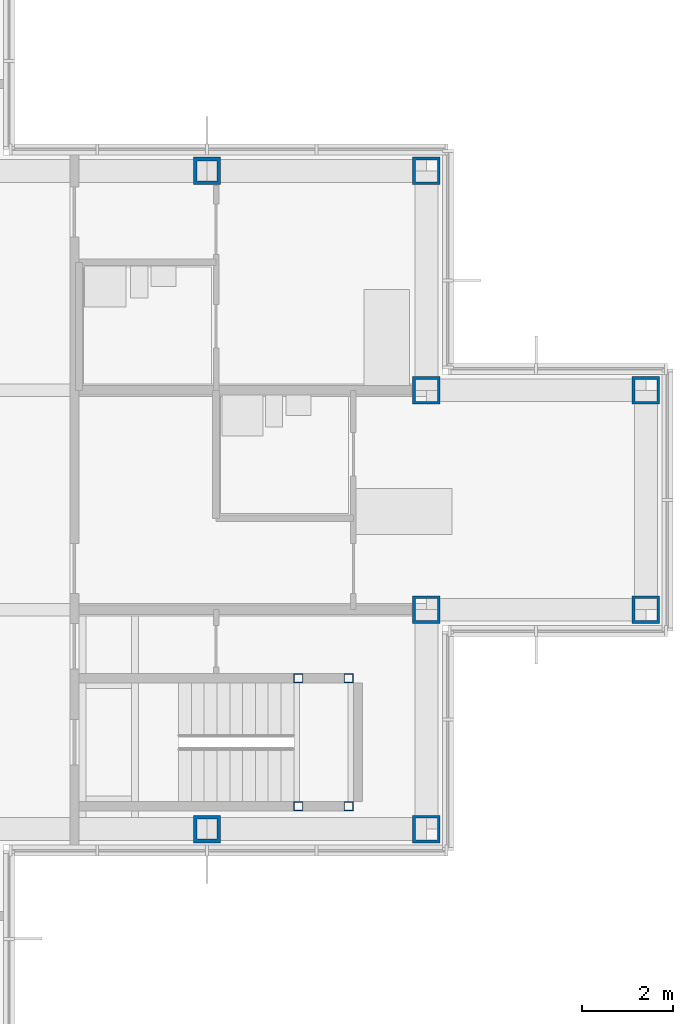
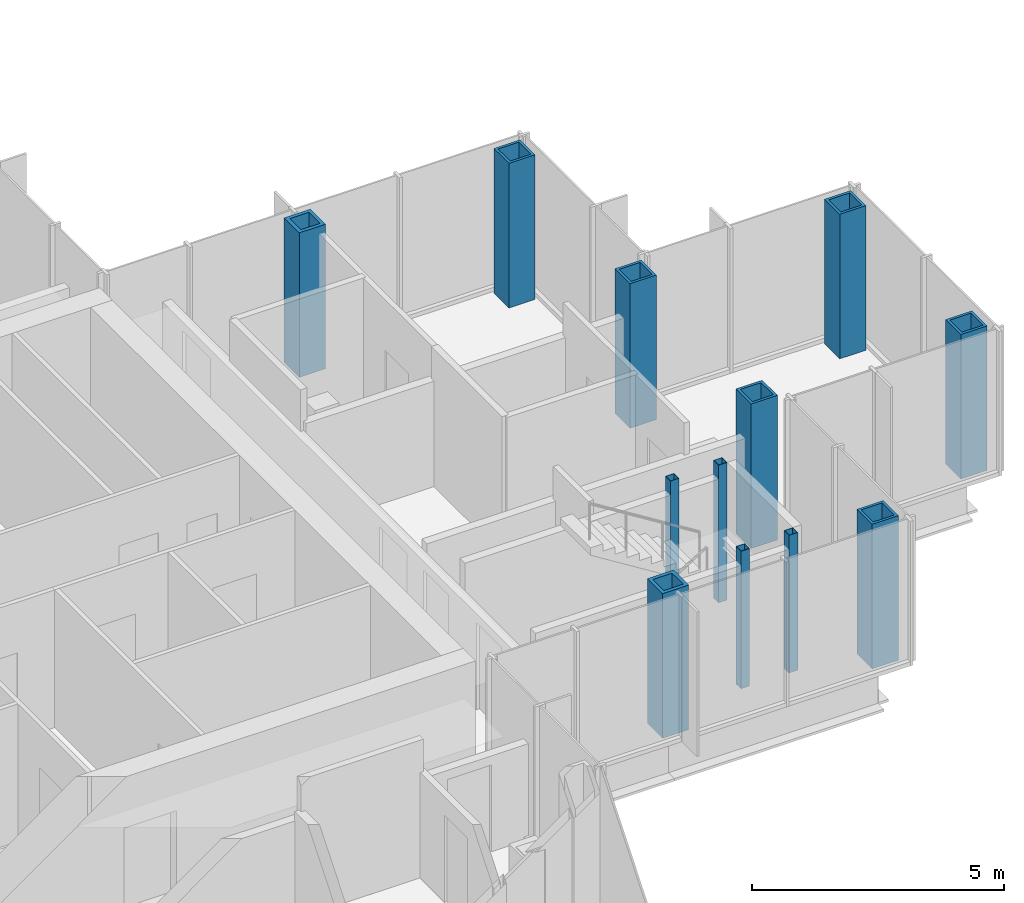
# One storey, part 4 of 17: 12 columns.
"""IFC4 building model written with IfcOpenShell, lengths in metres."""

import ifcopenshell
import ifcopenshell.guid

model = None  # the IFC model being written
_history = None  # IfcOwnerHistory: only IFC2X3 demands one
_inside = {}  # id of a spatial element -> (the spatial element, [elements in it])
_under = {}  # id of a project, library or spatial element -> (it, [spatial elements below it])
_declared = {}  # id of a project -> (the project, [libraries it declares])
_typed = {}  # id of a type object -> (the type object, [elements of that type])
_made_of = {}  # id of a material, layer set ... -> (it, [elements and type objects made of it])


def new_model(schema):
    """Start an empty IFC model of exactly this schema.

    Asked for "IFC4X3", IfcOpenShell would pick the latest addendum, in which some entities
    have other attributes; the version numbers below select the first issue.
    IFC2X3 requires an IfcOwnerHistory on every rooted entity: one is made here for all.
    """
    global model, _history
    if schema == "IFC4X3":
        model = ifcopenshell.file(schema_version=(4, 3, 0, 0))
    else:
        model = ifcopenshell.file(schema=schema)
    _inside.clear()
    _under.clear()
    _declared.clear()
    _typed.clear()
    _made_of.clear()
    _history = None
    if model.schema == "IFC2X3":
        org = make("IfcOrganization", Name="unknown")
        user = make(
            "IfcPersonAndOrganization",
            ThePerson=make("IfcPerson", FamilyName="unknown"),
            TheOrganization=org,
        )
        app = make(
            "IfcApplication",
            ApplicationDeveloper=org,
            Version="unknown",
            ApplicationFullName="unknown",
            ApplicationIdentifier="unknown",
        )
        _history = make(
            "IfcOwnerHistory",
            OwningUser=user,
            OwningApplication=app,
            ChangeAction="ADDED",
            CreationDate=0,
        )
    return model


def make(cls, **values):
    """One entity of the class cls with the attributes given. An attribute that is None is left unset."""
    return model.create_entity(
        cls, **{name: value for name, value in values.items() if value is not None}
    )


def rooted(cls, **values):
    """An entity with a GlobalId (a new one), such as an element, a storey or a relation."""
    return make(cls, GlobalId=ifcopenshell.guid.new(), OwnerHistory=_history, **values)


def si_unit(unit_type, name, prefix=None):
    """IfcSIUnit, for example si_unit("LENGTHUNIT", "METRE", prefix="MILLI")."""
    return make("IfcSIUnit", UnitType=unit_type, Prefix=prefix, Name=name)


def assignment(units):
    """IfcUnitAssignment: the units of a project."""
    return None if units is None else make("IfcUnitAssignment", Units=units)


def point(xyz):
    """IfcCartesianPoint."""
    return None if xyz is None else make("IfcCartesianPoint", Coordinates=xyz)


def direction(xyz):
    """IfcDirection."""
    return None if xyz is None else make("IfcDirection", DirectionRatios=xyz)


def frame(location, z_axis=None, x_axis=None):
    """IfcAxis2Placement3D, a coordinate frame: its origin and axes. An axis left out is left unset."""
    return make(
        "IfcAxis2Placement3D",
        Location=point(location),
        Axis=direction(z_axis),
        RefDirection=direction(x_axis),
    )


def frame_2d(location, x_axis=None):
    """IfcAxis2Placement2D, a coordinate frame in the plane: its origin and x axis."""
    return make(
        "IfcAxis2Placement2D", Location=point(location), RefDirection=direction(x_axis)
    )


def origin():
    """The frame at (0, 0, 0) with its axes left unset."""
    return frame((0.0, 0.0, 0.0))


def origin_2d():
    """The frame at (0, 0) in the plane with its x axis left unset."""
    return frame_2d((0.0, 0.0))


def place(relative_to, where):
    """IfcLocalPlacement: puts the frame where relative to a parent placement (None: the world)."""
    return make(
        "IfcLocalPlacement", PlacementRelTo=relative_to, RelativePlacement=where
    )


def context(
    kind, dimensions, precision=None, world=None, true_north=None, identifier=None
):
    """IfcGeometricRepresentationContext, for example the 3D "Model" context."""
    return make(
        "IfcGeometricRepresentationContext",
        ContextIdentifier=identifier,
        ContextType=kind,
        CoordinateSpaceDimension=dimensions,
        Precision=precision,
        WorldCoordinateSystem=world,
        TrueNorth=true_north,
    )


def subcontext(parent, identifier, kind, view, scale=None):
    """IfcGeometricRepresentationSubContext, for example "Body" below "Model"."""
    return make(
        "IfcGeometricRepresentationSubContext",
        ContextIdentifier=identifier,
        ContextType=kind,
        ParentContext=parent,
        TargetScale=scale,
        TargetView=view,
    )


def project(units=None, contexts=None):
    """IfcProject with its units and contexts."""
    return rooted(
        "IfcProject",
        Name="project",
        RepresentationContexts=contexts,
        UnitsInContext=assignment(units),
    )


def spatial(cls, under=None, at=None, **own):
    """A site, building, storey or space (cls), placed at a placement, below another one or the project."""
    s = rooted(cls, ObjectPlacement=at, **own)
    if under is not None:
        _under.setdefault(under.id(), (under, []))[1].append(s)
    return s


def profile(cls, at=None, kind="AREA", **sizes):
    """A parametric profile (cls). Its sizes go by their IFC names, for example OverallWidth=200.0."""
    return make(cls, ProfileType=kind, Position=at, **sizes)


def hollow_rectangle(**sizes):
    """IfcRectangleHollowProfileDef."""
    return profile("IfcRectangleHollowProfileDef", **sizes)


def extrude(swept, where, along, depth):
    """IfcExtrudedAreaSolid: the profile swept, set in the frame where, extruded along a direction by depth."""
    return make(
        "IfcExtrudedAreaSolid",
        SweptArea=swept,
        Position=where,
        ExtrudedDirection=direction(along),
        Depth=depth,
    )


def shape(context_of_items, identifier, shape_type, items):
    """IfcShapeRepresentation: the items that make up one representation, for example the "Body"."""
    return make(
        "IfcShapeRepresentation",
        ContextOfItems=context_of_items,
        RepresentationIdentifier=identifier,
        RepresentationType=shape_type,
        Items=items,
    )


def material(Name=None, Category=None):
    """IfcMaterial."""
    return make("IfcMaterial", Name=Name, Category=Category)


def material_profile(
    of_material, cross_section, Name=None, Category=None, Priority=None
):
    """IfcMaterialProfile: a cross section and its material."""
    return make(
        "IfcMaterialProfile",
        Name=Name,
        Material=of_material,
        Profile=cross_section,
        Priority=Priority,
        Category=Category,
    )


def profile_set(profiles, Name=None, composite=None):
    """IfcMaterialProfileSet."""
    return make(
        "IfcMaterialProfileSet",
        Name=Name,
        MaterialProfiles=profiles,
        CompositeProfile=composite,
    )


def made_of(thing, what):
    """Note that an element or type object is made of a material, layer set ...; save() writes the relation."""
    if what is not None:
        _made_of.setdefault(what.id(), (what, []))[1].append(thing)
    return thing


def type_object(cls, material=None, **own):
    """A type object (cls), such as IfcWallType, which elements share."""
    return made_of(rooted(cls, **own), material)


def element(
    cls,
    number,
    at=None,
    inside=None,
    cuts=None,
    type_object=None,
    material=None,
    context=None,
    identifier="Body",
    shape_type=None,
    held_by="IfcProductDefinitionShape",
    body=None,
    shapes=None,
    **own,
):
    """One element of the class cls, such as IfcWall. Its Tag is "e" and its number.

    at: its placement. inside: the storey or other place that contains it. cuts: it is an
    opening in that element (IfcRelVoidsElement). A single representation is given by context,
    identifier, shape_type and body (its items); several are given by shapes. held_by: the class
    of the entity that holds the representations. save() writes the other relations.
    """
    e = rooted(cls, Tag="e%d" % number, ObjectPlacement=at, **own)
    if body is not None:
        shapes = [shape(context, identifier, shape_type, body)]
    if shapes is not None:
        e.Representation = make(held_by, Representations=shapes)
    if inside is not None:
        _inside.setdefault(inside.id(), (inside, []))[1].append(e)
    if cuts is not None:
        rooted(
            "IfcRelVoidsElement", RelatingBuildingElement=cuts, RelatedOpeningElement=e
        )
    if type_object is not None:
        _typed.setdefault(type_object.id(), (type_object, []))[1].append(e)
    return made_of(e, material)


def aggregate(whole, parts):
    """IfcRelAggregates: a whole, such as a stair, and the parts it consists of."""
    return rooted("IfcRelAggregates", RelatingObject=whole, RelatedObjects=parts)


def save(model, path):
    """Write the relations noted so far, then the file.

    IfcRelAggregates (storeys below a building ...), IfcRelContainedInSpatialStructure (elements
    in a storey), IfcRelDefinesByType, IfcRelAssociatesMaterial and IfcRelDeclares: one each for
    every whole, place, type object, material and project.
    """
    for whole, parts in _under.values():
        aggregate(whole, parts)
    for where, things in _inside.values():
        rooted(
            "IfcRelContainedInSpatialStructure",
            RelatedElements=things,
            RelatingStructure=where,
        )
    for kind, things in _typed.values():
        rooted("IfcRelDefinesByType", RelatedObjects=things, RelatingType=kind)
    for what, things in _made_of.values():
        rooted("IfcRelAssociatesMaterial", RelatedObjects=things, RelatingMaterial=what)
    for by, libraries in _declared.values():
        rooted("IfcRelDeclares", RelatingContext=by, RelatedDefinitions=libraries)
    model.write(path)


model = new_model("IFC4")

# Units and contexts
model_context = context("Model", 3, precision=1e-05, world=origin(), true_north=direction((0.0, 1.0)))
body_context = subcontext(model_context, "Body", "Model", "MODEL_VIEW")
ifc_project = project(units=[si_unit("LENGTHUNIT", "METRE"), si_unit("AREAUNIT", "SQUARE_METRE"), si_unit("VOLUMEUNIT", "CUBIC_METRE"), si_unit("PLANEANGLEUNIT", "RADIAN"), si_unit("MASSUNIT", "GRAM", prefix="KILO")], contexts=[model_context])

# Site, building, storey
site_placement = place(None, origin())
site = spatial("IfcSite", under=ifc_project, at=site_placement, CompositionType="ELEMENT")
building_placement = place(site_placement, origin())
building = spatial("IfcBuilding", under=site, at=building_placement, Name="Kvirike Care Tower", CompositionType="ELEMENT")
storey_placement = place(building_placement, frame((0.0, 0.0, 158.5)))
storey = spatial("IfcBuildingStorey", under=building, at=storey_placement, Name="L43", CompositionType="ELEMENT", Elevation=158.5)

# Columns
ifc_material_1 = material(Name="Steel S460", Category="steel")
ifc_material_profile_1 = material_profile(ifc_material_1, hollow_rectangle(XDim=0.60009765625, YDim=0.60009765625, WallThickness=0.06005859375, at=origin_2d()), Name="BX 600x600x60")
ifc_profile_set_1 = profile_set([ifc_material_profile_1], Name="Steel S460")
column_type_1 = type_object("IfcColumnType", Name="COLUMN BX 600x600x60", PredefinedType="COLUMN", material=ifc_profile_set_1)
for number, where, z_axis, x_axis, name in (
    (1, (38.39990234375, 28.800048828125, 0.0), (0.0, 0.0, 1.0), (0.0, 1.0, 0.0), "Column G11 L43"),
    (2, (38.39990234375, 33.60009765625, 0.0), (0.0, 0.0, 1.0), (0.0, 1.0, 0.0), "Column H11 L43"),
    (3, (38.39990234375, 38.39990234375, 0.0), (0.0, 0.0, 1.0), (0.0, 1.0, 0.0), "Column J11 L43"),
    (4, (38.39990234375, 43.199951171875, 0.0), (0.0, 0.0, 1.0), (0.0, 1.0, 0.0), "Column K11 L43"),
    (5, (43.199951171875, 33.60009765625, 0.0), (0.0, 0.0, 1.0), (0.0, 1.0, 0.0), "Column H12 L43"),
    (6, (43.199951171875, 38.39990234375, 0.0), (0.0, 0.0, 1.0), (0.0, 1.0, 0.0), "Column J12 L43"),
):
    element("IfcColumn", number, at=place(storey_placement, frame(where, z_axis=z_axis, x_axis=x_axis)), inside=storey, type_object=column_type_1, Name=name, PredefinedType="COLUMN", context=body_context, shape_type="SweptSolid", body=[
        extrude(hollow_rectangle(XDim=0.60009765625, YDim=0.60009765625, WallThickness=0.06005859375, at=origin_2d()), origin(), (0.0, 0.0, 1.0), 3.5),
    ])
ifc_material_2 = material(Name="Steel S460", Category="steel")
ifc_material_profile_2 = material_profile(ifc_material_2, hollow_rectangle(XDim=0.60009765625, YDim=0.60009765625, WallThickness=0.080078125, at=origin_2d()), Name="BX 600x600x80")
ifc_profile_set_2 = profile_set([ifc_material_profile_2], Name="Steel S460")
column_type_2 = type_object("IfcColumnType", Name="COLUMN BX 600x600x80", PredefinedType="COLUMN", material=ifc_profile_set_2)
for number, where, z_axis, x_axis, name in (
    (7, (33.60009765625, 28.800048828125, 0.0), (0.0, 0.0, 1.0), (0.0, 1.0, 0.0), "Column G10 L43"),
    (8, (33.60009765625, 43.199951171875, 0.0), (0.0, 0.0, 1.0), (0.0, 1.0, 0.0), "Column K10 L43"),
):
    element("IfcColumn", number, at=place(storey_placement, frame(where, z_axis=z_axis, x_axis=x_axis)), inside=storey, type_object=column_type_2, Name=name, PredefinedType="COLUMN", context=body_context, shape_type="SweptSolid", body=[
        extrude(hollow_rectangle(XDim=0.60009765625, YDim=0.60009765625, WallThickness=0.080078125, at=origin_2d()), origin(), (0.0, 0.0, 1.0), 3.5),
    ])
ifc_material_3 = material(Name="Steel S460", Category="steel")
ifc_material_profile_3 = material_profile(ifc_material_3, hollow_rectangle(XDim=0.199951171875, YDim=0.199951171875, WallThickness=0.008056640625, at=origin_2d()), Name="SHS 200x200x8")
ifc_profile_set_3 = profile_set([ifc_material_profile_3], Name="Steel S460")
column_type_3 = type_object("IfcColumnType", Name="STAIR POST SHS 200x200x8", PredefinedType="COLUMN", material=ifc_profile_set_3)
for number, where, z_axis, x_axis, name in (
    (9, (36.699951171875, 29.300048828125, 0.0), (0.0, 0.0, 1.0), (1.0, 0.0, 0.0), "Stair 2 post 1 L43"),
    (10, (36.699951171875, 32.10009765625, 0.0), (0.0, 0.0, 1.0), (1.0, 0.0, 0.0), "Stair 2 post 2 L43"),
    (11, (35.60009765625, 29.300048828125, 0.0), (0.0, 0.0, 1.0), (1.0, 0.0, 0.0), "Stair 2 post 3 L43"),
    (12, (35.60009765625, 32.10009765625, 0.0), (0.0, 0.0, 1.0), (1.0, 0.0, 0.0), "Stair 2 post 4 L43"),
):
    element("IfcColumn", number, at=place(storey_placement, frame(where, z_axis=z_axis, x_axis=x_axis)), inside=storey, type_object=column_type_3, Name=name, PredefinedType="COLUMN", context=body_context, shape_type="SweptSolid", body=[
        extrude(hollow_rectangle(XDim=0.199951171875, YDim=0.199951171875, WallThickness=0.008056640625, at=origin_2d()), origin(), (0.0, 0.0, 1.0), 3.330078125),
    ])

save(model, "model.ifc")
